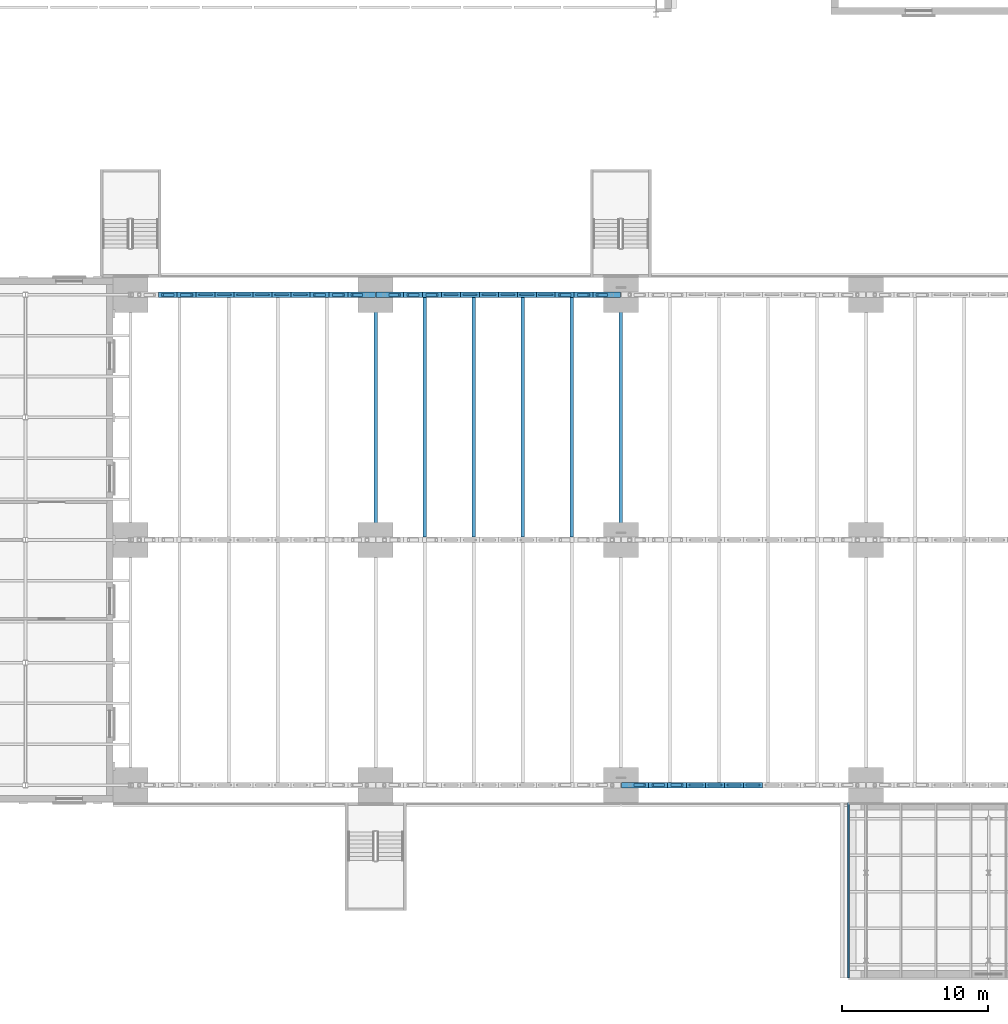
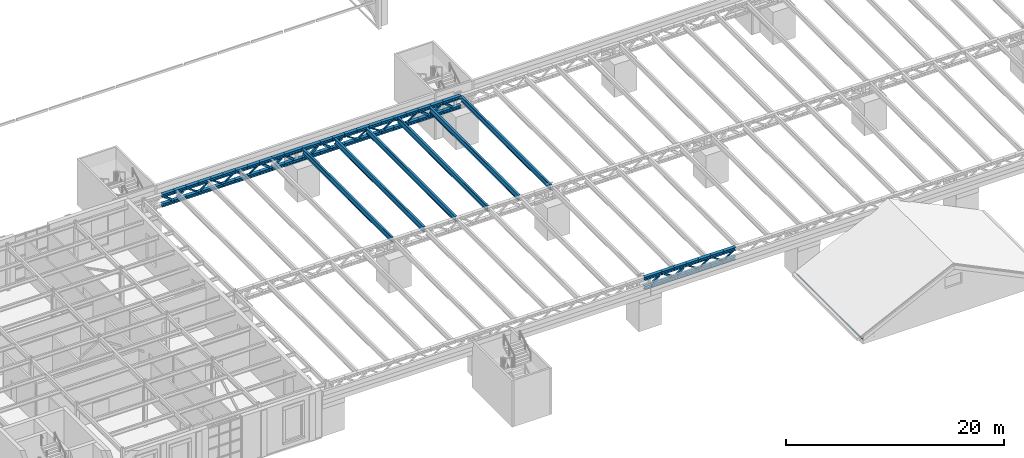
# One storey, part 21 of 93: 91 members, 6 beams.
"""IFC4 building model written with IfcOpenShell, lengths in metres."""

import ifcopenshell
import ifcopenshell.guid

model = None  # the IFC model being written
_history = None  # IfcOwnerHistory: only IFC2X3 demands one
_inside = {}  # id of a spatial element -> (the spatial element, [elements in it])
_under = {}  # id of a project, library or spatial element -> (it, [spatial elements below it])
_declared = {}  # id of a project -> (the project, [libraries it declares])
_typed = {}  # id of a type object -> (the type object, [elements of that type])
_made_of = {}  # id of a material, layer set ... -> (it, [elements and type objects made of it])


def new_model(schema):
    """Start an empty IFC model of exactly this schema.

    Asked for "IFC4X3", IfcOpenShell would pick the latest addendum, in which some entities
    have other attributes; the version numbers below select the first issue.
    IFC2X3 requires an IfcOwnerHistory on every rooted entity: one is made here for all.
    """
    global model, _history
    if schema == "IFC4X3":
        model = ifcopenshell.file(schema_version=(4, 3, 0, 0))
    else:
        model = ifcopenshell.file(schema=schema)
    _inside.clear()
    _under.clear()
    _declared.clear()
    _typed.clear()
    _made_of.clear()
    _history = None
    if model.schema == "IFC2X3":
        org = make("IfcOrganization", Name="unknown")
        user = make(
            "IfcPersonAndOrganization",
            ThePerson=make("IfcPerson", FamilyName="unknown"),
            TheOrganization=org,
        )
        app = make(
            "IfcApplication",
            ApplicationDeveloper=org,
            Version="unknown",
            ApplicationFullName="unknown",
            ApplicationIdentifier="unknown",
        )
        _history = make(
            "IfcOwnerHistory",
            OwningUser=user,
            OwningApplication=app,
            ChangeAction="ADDED",
            CreationDate=0,
        )
    return model


def make(cls, **values):
    """One entity of the class cls with the attributes given. An attribute that is None is left unset."""
    return model.create_entity(
        cls, **{name: value for name, value in values.items() if value is not None}
    )


def rooted(cls, **values):
    """An entity with a GlobalId (a new one), such as an element, a storey or a relation."""
    return make(cls, GlobalId=ifcopenshell.guid.new(), OwnerHistory=_history, **values)


def si_unit(unit_type, name, prefix=None):
    """IfcSIUnit, for example si_unit("LENGTHUNIT", "METRE", prefix="MILLI")."""
    return make("IfcSIUnit", UnitType=unit_type, Prefix=prefix, Name=name)


def assignment(units):
    """IfcUnitAssignment: the units of a project."""
    return None if units is None else make("IfcUnitAssignment", Units=units)


def point(xyz):
    """IfcCartesianPoint."""
    return None if xyz is None else make("IfcCartesianPoint", Coordinates=xyz)


def direction(xyz):
    """IfcDirection."""
    return None if xyz is None else make("IfcDirection", DirectionRatios=xyz)


def frame(location, z_axis=None, x_axis=None):
    """IfcAxis2Placement3D, a coordinate frame: its origin and axes. An axis left out is left unset."""
    return make(
        "IfcAxis2Placement3D",
        Location=point(location),
        Axis=direction(z_axis),
        RefDirection=direction(x_axis),
    )


def frame_2d(location, x_axis=None):
    """IfcAxis2Placement2D, a coordinate frame in the plane: its origin and x axis."""
    return make(
        "IfcAxis2Placement2D", Location=point(location), RefDirection=direction(x_axis)
    )


def origin():
    """The frame at (0, 0, 0) with its axes left unset."""
    return frame((0.0, 0.0, 0.0))


def origin_2d():
    """The frame at (0, 0) in the plane with its x axis left unset."""
    return frame_2d((0.0, 0.0))


def place(relative_to, where):
    """IfcLocalPlacement: puts the frame where relative to a parent placement (None: the world)."""
    return make(
        "IfcLocalPlacement", PlacementRelTo=relative_to, RelativePlacement=where
    )


def context(
    kind, dimensions, precision=None, world=None, true_north=None, identifier=None
):
    """IfcGeometricRepresentationContext, for example the 3D "Model" context."""
    return make(
        "IfcGeometricRepresentationContext",
        ContextIdentifier=identifier,
        ContextType=kind,
        CoordinateSpaceDimension=dimensions,
        Precision=precision,
        WorldCoordinateSystem=world,
        TrueNorth=true_north,
    )


def subcontext(parent, identifier, kind, view, scale=None):
    """IfcGeometricRepresentationSubContext, for example "Body" below "Model"."""
    return make(
        "IfcGeometricRepresentationSubContext",
        ContextIdentifier=identifier,
        ContextType=kind,
        ParentContext=parent,
        TargetScale=scale,
        TargetView=view,
    )


def project(units=None, contexts=None):
    """IfcProject with its units and contexts."""
    return rooted(
        "IfcProject",
        Name="project",
        RepresentationContexts=contexts,
        UnitsInContext=assignment(units),
    )


def spatial(cls, under=None, at=None, **own):
    """A site, building, storey or space (cls), placed at a placement, below another one or the project."""
    s = rooted(cls, ObjectPlacement=at, **own)
    if under is not None:
        _under.setdefault(under.id(), (under, []))[1].append(s)
    return s


def profile(cls, at=None, kind="AREA", **sizes):
    """A parametric profile (cls). Its sizes go by their IFC names, for example OverallWidth=200.0."""
    return make(cls, ProfileType=kind, Position=at, **sizes)


def hollow_rectangle(**sizes):
    """IfcRectangleHollowProfileDef."""
    return profile("IfcRectangleHollowProfileDef", **sizes)


def i_section(**sizes):
    """IfcIShapeProfileDef."""
    return profile("IfcIShapeProfileDef", **sizes)


def extrude(swept, where, along, depth):
    """IfcExtrudedAreaSolid: the profile swept, set in the frame where, extruded along a direction by depth."""
    return make(
        "IfcExtrudedAreaSolid",
        SweptArea=swept,
        Position=where,
        ExtrudedDirection=direction(along),
        Depth=depth,
    )


def shape(context_of_items, identifier, shape_type, items):
    """IfcShapeRepresentation: the items that make up one representation, for example the "Body"."""
    return make(
        "IfcShapeRepresentation",
        ContextOfItems=context_of_items,
        RepresentationIdentifier=identifier,
        RepresentationType=shape_type,
        Items=items,
    )


def material(Name=None, Category=None):
    """IfcMaterial."""
    return make("IfcMaterial", Name=Name, Category=Category)


def material_profile(
    of_material, cross_section, Name=None, Category=None, Priority=None
):
    """IfcMaterialProfile: a cross section and its material."""
    return make(
        "IfcMaterialProfile",
        Name=Name,
        Material=of_material,
        Profile=cross_section,
        Priority=Priority,
        Category=Category,
    )


def profile_set(profiles, Name=None, composite=None):
    """IfcMaterialProfileSet."""
    return make(
        "IfcMaterialProfileSet",
        Name=Name,
        MaterialProfiles=profiles,
        CompositeProfile=composite,
    )


def made_of(thing, what):
    """Note that an element or type object is made of a material, layer set ...; save() writes the relation."""
    if what is not None:
        _made_of.setdefault(what.id(), (what, []))[1].append(thing)
    return thing


def type_object(cls, material=None, **own):
    """A type object (cls), such as IfcWallType, which elements share."""
    return made_of(rooted(cls, **own), material)


def element(
    cls,
    number,
    at=None,
    inside=None,
    cuts=None,
    type_object=None,
    material=None,
    context=None,
    identifier="Body",
    shape_type=None,
    held_by="IfcProductDefinitionShape",
    body=None,
    shapes=None,
    **own,
):
    """One element of the class cls, such as IfcWall. Its Tag is "e" and its number.

    at: its placement. inside: the storey or other place that contains it. cuts: it is an
    opening in that element (IfcRelVoidsElement). A single representation is given by context,
    identifier, shape_type and body (its items); several are given by shapes. held_by: the class
    of the entity that holds the representations. save() writes the other relations.
    """
    e = rooted(cls, Tag="e%d" % number, ObjectPlacement=at, **own)
    if body is not None:
        shapes = [shape(context, identifier, shape_type, body)]
    if shapes is not None:
        e.Representation = make(held_by, Representations=shapes)
    if inside is not None:
        _inside.setdefault(inside.id(), (inside, []))[1].append(e)
    if cuts is not None:
        rooted(
            "IfcRelVoidsElement", RelatingBuildingElement=cuts, RelatedOpeningElement=e
        )
    if type_object is not None:
        _typed.setdefault(type_object.id(), (type_object, []))[1].append(e)
    return made_of(e, material)


def aggregate(whole, parts):
    """IfcRelAggregates: a whole, such as a stair, and the parts it consists of."""
    return rooted("IfcRelAggregates", RelatingObject=whole, RelatedObjects=parts)


def save(model, path):
    """Write the relations noted so far, then the file.

    IfcRelAggregates (storeys below a building ...), IfcRelContainedInSpatialStructure (elements
    in a storey), IfcRelDefinesByType, IfcRelAssociatesMaterial and IfcRelDeclares: one each for
    every whole, place, type object, material and project.
    """
    for whole, parts in _under.values():
        aggregate(whole, parts)
    for where, things in _inside.values():
        rooted(
            "IfcRelContainedInSpatialStructure",
            RelatedElements=things,
            RelatingStructure=where,
        )
    for kind, things in _typed.values():
        rooted("IfcRelDefinesByType", RelatedObjects=things, RelatingType=kind)
    for what, things in _made_of.values():
        rooted("IfcRelAssociatesMaterial", RelatedObjects=things, RelatingMaterial=what)
    for by, libraries in _declared.values():
        rooted("IfcRelDeclares", RelatingContext=by, RelatedDefinitions=libraries)
    model.write(path)


model = new_model("IFC4")

# Units and contexts
model_context = context("Model", 3, precision=1e-05, world=origin(), true_north=direction((0.0, 1.0)))
body_context = subcontext(model_context, "Body", "Model", "MODEL_VIEW")
ifc_project = project(units=[si_unit("LENGTHUNIT", "METRE"), si_unit("AREAUNIT", "SQUARE_METRE"), si_unit("VOLUMEUNIT", "CUBIC_METRE"), si_unit("PLANEANGLEUNIT", "RADIAN"), si_unit("MASSUNIT", "GRAM", prefix="KILO")], contexts=[model_context])

# Site, building, storey
site_placement = place(None, origin())
site = spatial("IfcSite", under=ifc_project, at=site_placement, CompositionType="ELEMENT")
building_placement = place(site_placement, origin())
building = spatial("IfcBuilding", under=site, at=building_placement, Name="Verrick Yard Athletic Hall", CompositionType="ELEMENT")
storey_placement = place(building_placement, frame((0.0, 0.0, 8.800048828125)))
storey = spatial("IfcBuildingStorey", under=building, at=storey_placement, Name="L02", CompositionType="ELEMENT", Elevation=8.800048828125)

# Members
ifc_material_1 = material(Name="Structural steel 350W (CSA G40.21)", Category="steel")
ifc_material_profile_1 = material_profile(ifc_material_1, i_section(OverallWidth=0.368896484375, OverallDepth=0.35595703125, WebThickness=0.01123046875, FlangeThickness=0.01806640625, at=origin_2d()), Name="W360x134")
ifc_profile_set_1 = profile_set([ifc_material_profile_1], Name="Structural steel 350W (CSA G40.21)")
member_type_1 = type_object("IfcMemberType", Name="STR Edge truss bottom chord W360x134", PredefinedType="CHORD", material=ifc_profile_set_1)
member_1_placement = place(storey_placement, frame((73.625, 19.199951171875, 3.827880859375), z_axis=(1.0, 0.0, 0.0), x_axis=(0.0, 1.0, 0.0)))
element("IfcMember", 1, at=member_1_placement, inside=storey, type_object=member_type_1, Name="STR-BC-GA3-1", PredefinedType="CHORD", context=body_context, shape_type="SweptSolid", body=[
    extrude(i_section(OverallWidth=0.368896484375, OverallDepth=0.35595703125, WebThickness=0.01123046875, FlangeThickness=0.01806640625, at=origin_2d()), origin(), (0.0, 0.0, 1.0), 1.875),
])
for number, where, z_axis, x_axis, name in (
    (2, (75.5, 19.199951171875, 3.827880859375), (1.0, 0.0, 0.0), (0.0, 1.0, 0.0), "STR-BC-GA3-2"),
    (3, (76.800048828125, 19.199951171875, 3.827880859375), (1.0, 0.0, 0.0), (0.0, 1.0, 0.0), "STR-BC-GA3-3"),
):
    element("IfcMember", number, at=place(storey_placement, frame(where, z_axis=z_axis, x_axis=x_axis)), inside=storey, type_object=member_type_1, Name=name, PredefinedType="CHORD", context=body_context, shape_type="SweptSolid", body=[
        extrude(i_section(OverallWidth=0.368896484375, OverallDepth=0.35595703125, WebThickness=0.01123046875, FlangeThickness=0.01806640625, at=origin_2d()), origin(), (0.0, 0.0, 1.0), 1.300048828125),
    ])
member_2_placement = place(storey_placement, frame((78.10009765625, 19.199951171875, 3.827880859375), z_axis=(1.0, 0.0, 0.0), x_axis=(0.0, 1.0, 0.0)))
element("IfcMember", 4, at=member_2_placement, inside=storey, type_object=member_type_1, Name="STR-BC-GA3-4", PredefinedType="CHORD", context=body_context, shape_type="SweptSolid", body=[
    extrude(i_section(OverallWidth=0.368896484375, OverallDepth=0.35595703125, WebThickness=0.01123046875, FlangeThickness=0.01806640625, at=origin_2d()), origin(), (0.0, 0.0, 1.0), 1.2998046875),
])
for number, where, z_axis, x_axis, name in (
    (5, (79.39990234375, 19.199951171875, 3.827880859375), (1.0, 0.0, 0.0), (0.0, 1.0, 0.0), "STR-BC-GA3-5"),
    (6, (80.699951171875, 19.199951171875, 3.827880859375), (1.0, 0.0, 0.0), (0.0, 1.0, 0.0), "STR-BC-GA3-6"),
    (7, (82.0, 19.199951171875, 3.827880859375), (1.0, 0.0, 0.0), (0.0, 1.0, 0.0), "STR-BC-GA3-7"),
    (8, (41.89990234375, 52.800048828125, 3.827880859375), (1.0, 0.0, 0.0), (0.0, 1.0, 0.0), "STR-BC-GC1-2"),
    (9, (43.199951171875, 52.800048828125, 3.827880859375), (1.0, 0.0, 0.0), (0.0, 1.0, 0.0), "STR-BC-GC1-3"),
    (10, (44.5, 52.800048828125, 3.827880859375), (1.0, 0.0, 0.0), (0.0, 1.0, 0.0), "STR-BC-GC1-4"),
    (11, (45.800048828125, 52.800048828125, 3.827880859375), (1.0, 0.0, 0.0), (0.0, 1.0, 0.0), "STR-BC-GC1-5"),
):
    element("IfcMember", number, at=place(storey_placement, frame(where, z_axis=z_axis, x_axis=x_axis)), inside=storey, type_object=member_type_1, Name=name, PredefinedType="CHORD", context=body_context, shape_type="SweptSolid", body=[
        extrude(i_section(OverallWidth=0.368896484375, OverallDepth=0.35595703125, WebThickness=0.01123046875, FlangeThickness=0.01806640625, at=origin_2d()), origin(), (0.0, 0.0, 1.0), 1.300048828125),
    ])
member_3_placement = place(storey_placement, frame((47.10009765625, 52.800048828125, 3.827880859375), z_axis=(1.0, 0.0, 0.0), x_axis=(0.0, 1.0, 0.0)))
element("IfcMember", 12, at=member_3_placement, inside=storey, type_object=member_type_1, Name="STR-BC-GC1-6", PredefinedType="CHORD", context=body_context, shape_type="SweptSolid", body=[
    extrude(i_section(OverallWidth=0.368896484375, OverallDepth=0.35595703125, WebThickness=0.01123046875, FlangeThickness=0.01806640625, at=origin_2d()), origin(), (0.0, 0.0, 1.0), 1.2998046875),
])
for number, where, z_axis, x_axis, name in (
    (13, (48.39990234375, 52.800048828125, 3.827880859375), (1.0, 0.0, 0.0), (0.0, 1.0, 0.0), "STR-BC-GC1-7"),
    (14, (49.699951171875, 52.800048828125, 3.827880859375), (1.0, 0.0, 0.0), (0.0, 1.0, 0.0), "STR-BC-GC1-8"),
    (15, (51.0, 52.800048828125, 3.827880859375), (1.0, 0.0, 0.0), (0.0, 1.0, 0.0), "STR-BC-GC1-9"),
    (16, (52.300048828125, 52.800048828125, 3.827880859375), (1.0, 0.0, 0.0), (0.0, 1.0, 0.0), "STR-BC-GC1-10"),
):
    element("IfcMember", number, at=place(storey_placement, frame(where, z_axis=z_axis, x_axis=x_axis)), inside=storey, type_object=member_type_1, Name=name, PredefinedType="CHORD", context=body_context, shape_type="SweptSolid", body=[
        extrude(i_section(OverallWidth=0.368896484375, OverallDepth=0.35595703125, WebThickness=0.01123046875, FlangeThickness=0.01806640625, at=origin_2d()), origin(), (0.0, 0.0, 1.0), 1.300048828125),
    ])
member_4_placement = place(storey_placement, frame((53.60009765625, 52.800048828125, 3.827880859375), z_axis=(1.0, 0.0, 0.0), x_axis=(0.0, 1.0, 0.0)))
element("IfcMember", 17, at=member_4_placement, inside=storey, type_object=member_type_1, Name="STR-BC-GC1-11", PredefinedType="CHORD", context=body_context, shape_type="SweptSolid", body=[
    extrude(i_section(OverallWidth=0.368896484375, OverallDepth=0.35595703125, WebThickness=0.01123046875, FlangeThickness=0.01806640625, at=origin_2d()), origin(), (0.0, 0.0, 1.0), 1.2998046875),
])
for number, where, z_axis, x_axis, name in (
    (18, (54.89990234375, 52.800048828125, 3.827880859375), (1.0, 0.0, 0.0), (0.0, 1.0, 0.0), "STR-BC-GC1-12"),
    (19, (56.824951171875, 52.800048828125, 3.827880859375), (1.0, 0.0, 0.0), (0.0, 1.0, 0.0), "STR-BC-GC2-1"),
):
    element("IfcMember", number, at=place(storey_placement, frame(where, z_axis=z_axis, x_axis=x_axis)), inside=storey, type_object=member_type_1, Name=name, PredefinedType="CHORD", context=body_context, shape_type="SweptSolid", body=[
        extrude(i_section(OverallWidth=0.368896484375, OverallDepth=0.35595703125, WebThickness=0.01123046875, FlangeThickness=0.01806640625, at=origin_2d()), origin(), (0.0, 0.0, 1.0), 1.875),
    ])
for number, where, z_axis, x_axis, name in (
    (20, (58.699951171875, 52.800048828125, 3.827880859375), (1.0, 0.0, 0.0), (0.0, 1.0, 0.0), "STR-BC-GC2-2"),
    (21, (60.0, 52.800048828125, 3.827880859375), (1.0, 0.0, 0.0), (0.0, 1.0, 0.0), "STR-BC-GC2-3"),
    (22, (61.300048828125, 52.800048828125, 3.827880859375), (1.0, 0.0, 0.0), (0.0, 1.0, 0.0), "STR-BC-GC2-4"),
):
    element("IfcMember", number, at=place(storey_placement, frame(where, z_axis=z_axis, x_axis=x_axis)), inside=storey, type_object=member_type_1, Name=name, PredefinedType="CHORD", context=body_context, shape_type="SweptSolid", body=[
        extrude(i_section(OverallWidth=0.368896484375, OverallDepth=0.35595703125, WebThickness=0.01123046875, FlangeThickness=0.01806640625, at=origin_2d()), origin(), (0.0, 0.0, 1.0), 1.300048828125),
    ])
member_5_placement = place(storey_placement, frame((62.60009765625, 52.800048828125, 3.827880859375), z_axis=(1.0, 0.0, 0.0), x_axis=(0.0, 1.0, 0.0)))
element("IfcMember", 23, at=member_5_placement, inside=storey, type_object=member_type_1, Name="STR-BC-GC2-5", PredefinedType="CHORD", context=body_context, shape_type="SweptSolid", body=[
    extrude(i_section(OverallWidth=0.368896484375, OverallDepth=0.35595703125, WebThickness=0.01123046875, FlangeThickness=0.01806640625, at=origin_2d()), origin(), (0.0, 0.0, 1.0), 1.2998046875),
])
for number, where, z_axis, x_axis, name in (
    (24, (63.89990234375, 52.800048828125, 3.827880859375), (1.0, 0.0, 0.0), (0.0, 1.0, 0.0), "STR-BC-GC2-6"),
    (25, (65.199951171875, 52.800048828125, 3.827880859375), (1.0, 0.0, 0.0), (0.0, 1.0, 0.0), "STR-BC-GC2-7"),
    (26, (66.5, 52.800048828125, 3.827880859375), (1.0, 0.0, 0.0), (0.0, 1.0, 0.0), "STR-BC-GC2-8"),
    (27, (67.800048828125, 52.800048828125, 3.827880859375), (1.0, 0.0, 0.0), (0.0, 1.0, 0.0), "STR-BC-GC2-9"),
):
    element("IfcMember", number, at=place(storey_placement, frame(where, z_axis=z_axis, x_axis=x_axis)), inside=storey, type_object=member_type_1, Name=name, PredefinedType="CHORD", context=body_context, shape_type="SweptSolid", body=[
        extrude(i_section(OverallWidth=0.368896484375, OverallDepth=0.35595703125, WebThickness=0.01123046875, FlangeThickness=0.01806640625, at=origin_2d()), origin(), (0.0, 0.0, 1.0), 1.300048828125),
    ])
member_6_placement = place(storey_placement, frame((69.10009765625, 52.800048828125, 3.827880859375), z_axis=(1.0, 0.0, 0.0), x_axis=(0.0, 1.0, 0.0)))
element("IfcMember", 28, at=member_6_placement, inside=storey, type_object=member_type_1, Name="STR-BC-GC2-10", PredefinedType="CHORD", context=body_context, shape_type="SweptSolid", body=[
    extrude(i_section(OverallWidth=0.368896484375, OverallDepth=0.35595703125, WebThickness=0.01123046875, FlangeThickness=0.01806640625, at=origin_2d()), origin(), (0.0, 0.0, 1.0), 1.2998046875),
])
member_7_placement = place(storey_placement, frame((70.39990234375, 52.800048828125, 3.827880859375), z_axis=(1.0, 0.0, 0.0), x_axis=(0.0, 1.0, 0.0)))
element("IfcMember", 29, at=member_7_placement, inside=storey, type_object=member_type_1, Name="STR-BC-GC2-11", PredefinedType="CHORD", context=body_context, shape_type="SweptSolid", body=[
    extrude(i_section(OverallWidth=0.368896484375, OverallDepth=0.35595703125, WebThickness=0.01123046875, FlangeThickness=0.01806640625, at=origin_2d()), origin(), (0.0, 0.0, 1.0), 1.300048828125),
])
member_8_placement = place(storey_placement, frame((71.699951171875, 52.800048828125, 3.827880859375), z_axis=(1.0, 0.0, 0.0), x_axis=(0.0, 1.0, 0.0)))
element("IfcMember", 30, at=member_8_placement, inside=storey, type_object=member_type_1, Name="STR-BC-GC2-12", PredefinedType="CHORD", context=body_context, shape_type="SweptSolid", body=[
    extrude(i_section(OverallWidth=0.368896484375, OverallDepth=0.35595703125, WebThickness=0.01123046875, FlangeThickness=0.01806640625, at=origin_2d()), origin(), (0.0, 0.0, 1.0), 1.875),
])
ifc_material_profile_2 = material_profile(ifc_material_1, i_section(OverallWidth=0.368896484375, OverallDepth=0.35595703125, WebThickness=0.01123046875, FlangeThickness=0.01806640625, at=origin_2d()), Name="W360x134")
ifc_profile_set_2 = profile_set([ifc_material_profile_2], Name="Structural steel 350W (CSA G40.21)")
member_type_2 = type_object("IfcMemberType", Name="STR Edge truss top chord W360x134", PredefinedType="CHORD", material=ifc_profile_set_2)
member_9_placement = place(storey_placement, frame((73.625, 19.199951171875, 4.8720703125), z_axis=(1.0, 0.0, 0.0), x_axis=(0.0, 1.0, 0.0)))
element("IfcMember", 31, at=member_9_placement, inside=storey, type_object=member_type_2, Name="STR-TC-GA3-1", PredefinedType="CHORD", context=body_context, shape_type="SweptSolid", body=[
    extrude(i_section(OverallWidth=0.368896484375, OverallDepth=0.35595703125, WebThickness=0.01123046875, FlangeThickness=0.01806640625, at=origin_2d()), origin(), (0.0, 0.0, 1.0), 1.875),
])
for number, where, z_axis, x_axis, name in (
    (32, (75.5, 19.199951171875, 4.8720703125), (1.0, 0.0, 0.0), (0.0, 1.0, 0.0), "STR-TC-GA3-2"),
    (33, (76.800048828125, 19.199951171875, 4.8720703125), (1.0, 0.0, 0.0), (0.0, 1.0, 0.0), "STR-TC-GA3-3"),
):
    element("IfcMember", number, at=place(storey_placement, frame(where, z_axis=z_axis, x_axis=x_axis)), inside=storey, type_object=member_type_2, Name=name, PredefinedType="CHORD", context=body_context, shape_type="SweptSolid", body=[
        extrude(i_section(OverallWidth=0.368896484375, OverallDepth=0.35595703125, WebThickness=0.01123046875, FlangeThickness=0.01806640625, at=origin_2d()), origin(), (0.0, 0.0, 1.0), 1.300048828125),
    ])
member_10_placement = place(storey_placement, frame((78.10009765625, 19.199951171875, 4.8720703125), z_axis=(1.0, 0.0, 0.0), x_axis=(0.0, 1.0, 0.0)))
element("IfcMember", 34, at=member_10_placement, inside=storey, type_object=member_type_2, Name="STR-TC-GA3-4", PredefinedType="CHORD", context=body_context, shape_type="SweptSolid", body=[
    extrude(i_section(OverallWidth=0.368896484375, OverallDepth=0.35595703125, WebThickness=0.01123046875, FlangeThickness=0.01806640625, at=origin_2d()), origin(), (0.0, 0.0, 1.0), 1.2998046875),
])
for number, where, z_axis, x_axis, name in (
    (35, (79.39990234375, 19.199951171875, 4.8720703125), (1.0, 0.0, 0.0), (0.0, 1.0, 0.0), "STR-TC-GA3-5"),
    (36, (80.699951171875, 19.199951171875, 4.8720703125), (1.0, 0.0, 0.0), (0.0, 1.0, 0.0), "STR-TC-GA3-6"),
    (37, (82.0, 19.199951171875, 4.8720703125), (1.0, 0.0, 0.0), (0.0, 1.0, 0.0), "STR-TC-GA3-7"),
    (38, (41.89990234375, 52.800048828125, 4.8720703125), (1.0, 0.0, 0.0), (0.0, 1.0, 0.0), "STR-TC-GC1-2"),
    (39, (43.199951171875, 52.800048828125, 4.8720703125), (1.0, 0.0, 0.0), (0.0, 1.0, 0.0), "STR-TC-GC1-3"),
    (40, (44.5, 52.800048828125, 4.8720703125), (1.0, 0.0, 0.0), (0.0, 1.0, 0.0), "STR-TC-GC1-4"),
    (41, (45.800048828125, 52.800048828125, 4.8720703125), (1.0, 0.0, 0.0), (0.0, 1.0, 0.0), "STR-TC-GC1-5"),
):
    element("IfcMember", number, at=place(storey_placement, frame(where, z_axis=z_axis, x_axis=x_axis)), inside=storey, type_object=member_type_2, Name=name, PredefinedType="CHORD", context=body_context, shape_type="SweptSolid", body=[
        extrude(i_section(OverallWidth=0.368896484375, OverallDepth=0.35595703125, WebThickness=0.01123046875, FlangeThickness=0.01806640625, at=origin_2d()), origin(), (0.0, 0.0, 1.0), 1.300048828125),
    ])
member_11_placement = place(storey_placement, frame((47.10009765625, 52.800048828125, 4.8720703125), z_axis=(1.0, 0.0, 0.0), x_axis=(0.0, 1.0, 0.0)))
element("IfcMember", 42, at=member_11_placement, inside=storey, type_object=member_type_2, Name="STR-TC-GC1-6", PredefinedType="CHORD", context=body_context, shape_type="SweptSolid", body=[
    extrude(i_section(OverallWidth=0.368896484375, OverallDepth=0.35595703125, WebThickness=0.01123046875, FlangeThickness=0.01806640625, at=origin_2d()), origin(), (0.0, 0.0, 1.0), 1.2998046875),
])
for number, where, z_axis, x_axis, name in (
    (43, (48.39990234375, 52.800048828125, 4.8720703125), (1.0, 0.0, 0.0), (0.0, 1.0, 0.0), "STR-TC-GC1-7"),
    (44, (49.699951171875, 52.800048828125, 4.8720703125), (1.0, 0.0, 0.0), (0.0, 1.0, 0.0), "STR-TC-GC1-8"),
    (45, (51.0, 52.800048828125, 4.8720703125), (1.0, 0.0, 0.0), (0.0, 1.0, 0.0), "STR-TC-GC1-9"),
    (46, (52.300048828125, 52.800048828125, 4.8720703125), (1.0, 0.0, 0.0), (0.0, 1.0, 0.0), "STR-TC-GC1-10"),
):
    element("IfcMember", number, at=place(storey_placement, frame(where, z_axis=z_axis, x_axis=x_axis)), inside=storey, type_object=member_type_2, Name=name, PredefinedType="CHORD", context=body_context, shape_type="SweptSolid", body=[
        extrude(i_section(OverallWidth=0.368896484375, OverallDepth=0.35595703125, WebThickness=0.01123046875, FlangeThickness=0.01806640625, at=origin_2d()), origin(), (0.0, 0.0, 1.0), 1.300048828125),
    ])
member_12_placement = place(storey_placement, frame((53.60009765625, 52.800048828125, 4.8720703125), z_axis=(1.0, 0.0, 0.0), x_axis=(0.0, 1.0, 0.0)))
element("IfcMember", 47, at=member_12_placement, inside=storey, type_object=member_type_2, Name="STR-TC-GC1-11", PredefinedType="CHORD", context=body_context, shape_type="SweptSolid", body=[
    extrude(i_section(OverallWidth=0.368896484375, OverallDepth=0.35595703125, WebThickness=0.01123046875, FlangeThickness=0.01806640625, at=origin_2d()), origin(), (0.0, 0.0, 1.0), 1.2998046875),
])
for number, where, z_axis, x_axis, name in (
    (48, (54.89990234375, 52.800048828125, 4.8720703125), (1.0, 0.0, 0.0), (0.0, 1.0, 0.0), "STR-TC-GC1-12"),
    (49, (56.824951171875, 52.800048828125, 4.8720703125), (1.0, 0.0, 0.0), (0.0, 1.0, 0.0), "STR-TC-GC2-1"),
):
    element("IfcMember", number, at=place(storey_placement, frame(where, z_axis=z_axis, x_axis=x_axis)), inside=storey, type_object=member_type_2, Name=name, PredefinedType="CHORD", context=body_context, shape_type="SweptSolid", body=[
        extrude(i_section(OverallWidth=0.368896484375, OverallDepth=0.35595703125, WebThickness=0.01123046875, FlangeThickness=0.01806640625, at=origin_2d()), origin(), (0.0, 0.0, 1.0), 1.875),
    ])
for number, where, z_axis, x_axis, name in (
    (50, (58.699951171875, 52.800048828125, 4.8720703125), (1.0, 0.0, 0.0), (0.0, 1.0, 0.0), "STR-TC-GC2-2"),
    (51, (60.0, 52.800048828125, 4.8720703125), (1.0, 0.0, 0.0), (0.0, 1.0, 0.0), "STR-TC-GC2-3"),
    (52, (61.300048828125, 52.800048828125, 4.8720703125), (1.0, 0.0, 0.0), (0.0, 1.0, 0.0), "STR-TC-GC2-4"),
):
    element("IfcMember", number, at=place(storey_placement, frame(where, z_axis=z_axis, x_axis=x_axis)), inside=storey, type_object=member_type_2, Name=name, PredefinedType="CHORD", context=body_context, shape_type="SweptSolid", body=[
        extrude(i_section(OverallWidth=0.368896484375, OverallDepth=0.35595703125, WebThickness=0.01123046875, FlangeThickness=0.01806640625, at=origin_2d()), origin(), (0.0, 0.0, 1.0), 1.300048828125),
    ])
member_13_placement = place(storey_placement, frame((62.60009765625, 52.800048828125, 4.8720703125), z_axis=(1.0, 0.0, 0.0), x_axis=(0.0, 1.0, 0.0)))
element("IfcMember", 53, at=member_13_placement, inside=storey, type_object=member_type_2, Name="STR-TC-GC2-5", PredefinedType="CHORD", context=body_context, shape_type="SweptSolid", body=[
    extrude(i_section(OverallWidth=0.368896484375, OverallDepth=0.35595703125, WebThickness=0.01123046875, FlangeThickness=0.01806640625, at=origin_2d()), origin(), (0.0, 0.0, 1.0), 1.2998046875),
])
for number, where, z_axis, x_axis, name in (
    (54, (63.89990234375, 52.800048828125, 4.8720703125), (1.0, 0.0, 0.0), (0.0, 1.0, 0.0), "STR-TC-GC2-6"),
    (55, (65.199951171875, 52.800048828125, 4.8720703125), (1.0, 0.0, 0.0), (0.0, 1.0, 0.0), "STR-TC-GC2-7"),
    (56, (66.5, 52.800048828125, 4.8720703125), (1.0, 0.0, 0.0), (0.0, 1.0, 0.0), "STR-TC-GC2-8"),
    (57, (67.800048828125, 52.800048828125, 4.8720703125), (1.0, 0.0, 0.0), (0.0, 1.0, 0.0), "STR-TC-GC2-9"),
):
    element("IfcMember", number, at=place(storey_placement, frame(where, z_axis=z_axis, x_axis=x_axis)), inside=storey, type_object=member_type_2, Name=name, PredefinedType="CHORD", context=body_context, shape_type="SweptSolid", body=[
        extrude(i_section(OverallWidth=0.368896484375, OverallDepth=0.35595703125, WebThickness=0.01123046875, FlangeThickness=0.01806640625, at=origin_2d()), origin(), (0.0, 0.0, 1.0), 1.300048828125),
    ])
member_14_placement = place(storey_placement, frame((69.10009765625, 52.800048828125, 4.8720703125), z_axis=(1.0, 0.0, 0.0), x_axis=(0.0, 1.0, 0.0)))
element("IfcMember", 58, at=member_14_placement, inside=storey, type_object=member_type_2, Name="STR-TC-GC2-10", PredefinedType="CHORD", context=body_context, shape_type="SweptSolid", body=[
    extrude(i_section(OverallWidth=0.368896484375, OverallDepth=0.35595703125, WebThickness=0.01123046875, FlangeThickness=0.01806640625, at=origin_2d()), origin(), (0.0, 0.0, 1.0), 1.2998046875),
])
member_15_placement = place(storey_placement, frame((70.39990234375, 52.800048828125, 4.8720703125), z_axis=(1.0, 0.0, 0.0), x_axis=(0.0, 1.0, 0.0)))
element("IfcMember", 59, at=member_15_placement, inside=storey, type_object=member_type_2, Name="STR-TC-GC2-11", PredefinedType="CHORD", context=body_context, shape_type="SweptSolid", body=[
    extrude(i_section(OverallWidth=0.368896484375, OverallDepth=0.35595703125, WebThickness=0.01123046875, FlangeThickness=0.01806640625, at=origin_2d()), origin(), (0.0, 0.0, 1.0), 1.300048828125),
])
member_16_placement = place(storey_placement, frame((71.699951171875, 52.800048828125, 4.8720703125), z_axis=(1.0, 0.0, 0.0), x_axis=(0.0, 1.0, 0.0)))
element("IfcMember", 60, at=member_16_placement, inside=storey, type_object=member_type_2, Name="STR-TC-GC2-12", PredefinedType="CHORD", context=body_context, shape_type="SweptSolid", body=[
    extrude(i_section(OverallWidth=0.368896484375, OverallDepth=0.35595703125, WebThickness=0.01123046875, FlangeThickness=0.01806640625, at=origin_2d()), origin(), (0.0, 0.0, 1.0), 1.875),
])
ifc_material_2 = material(Name="Structural steel HSS Class C 350W (CSA G40.20/G40.21)", Category="steel")
ifc_material_profile_3 = material_profile(ifc_material_2, hollow_rectangle(XDim=0.126953125, YDim=0.126953125, WallThickness=0.009521484375, at=origin_2d()), Name="HSS127x127x9.5")
ifc_profile_set_3 = profile_set([ifc_material_profile_3], Name="Structural steel HSS Class C 350W (CSA G40.20/G40.21)")
member_type_3 = type_object("IfcMemberType", Name="STR Edge truss web HSS127x127x9.5", PredefinedType="BRACE", material=ifc_profile_set_3)
member_17_placement = place(storey_placement, frame((78.30224609375, 19.199951171875, 4.641357421875), z_axis=(0.838151139583, 0.0, -0.545438050759), x_axis=(0.0, 1.0, 0.0)))
element("IfcMember", 61, at=member_17_placement, inside=storey, type_object=member_type_3, Name="STR-TW-GA3-4", PredefinedType="BRACE", context=body_context, shape_type="SweptSolid", body=[
    extrude(hollow_rectangle(XDim=0.126953125, YDim=0.126953125, WallThickness=0.009521484375, at=origin_2d()), origin(), (0.0, 0.0, 1.0), 1.068359375),
])
for number, where, z_axis, x_axis, name in (
    (62, (79.602294921875, 19.199951171875, 4.05859375), (0.838083139624, 0.0, 0.54554252912), (0.0, 1.0, 0.0), "STR-TW-GA3-5"),
    (63, (80.90234375, 19.199951171875, 4.641357421875), (0.838083139624, 0.0, -0.54554252912), (0.0, 1.0, 0.0), "STR-TW-GA3-6"),
    (64, (82.202392578125, 19.199951171875, 4.05859375), (0.838083139624, 0.0, 0.54554252912), (0.0, 1.0, 0.0), "STR-TW-GA3-7"),
    (65, (44.702392578125, 52.800048828125, 4.641357421875), (0.838083139624, 0.0, -0.54554252912), (0.0, 1.0, 0.0), "STR-TW-GC1-4"),
    (66, (46.00244140625, 52.800048828125, 4.05859375), (0.838083139624, 0.0, 0.54554252912), (0.0, 1.0, 0.0), "STR-TW-GC1-5"),
):
    element("IfcMember", number, at=place(storey_placement, frame(where, z_axis=z_axis, x_axis=x_axis)), inside=storey, type_object=member_type_3, Name=name, PredefinedType="BRACE", context=body_context, shape_type="SweptSolid", body=[
        extrude(hollow_rectangle(XDim=0.126953125, YDim=0.126953125, WallThickness=0.009521484375, at=origin_2d()), origin(), (0.0, 0.0, 1.0), 1.068115234375),
    ])
member_18_placement = place(storey_placement, frame((47.30224609375, 52.800048828125, 4.641357421875), z_axis=(0.838151139583, 0.0, -0.545438050759), x_axis=(0.0, 1.0, 0.0)))
element("IfcMember", 67, at=member_18_placement, inside=storey, type_object=member_type_3, Name="STR-TW-GC1-6", PredefinedType="BRACE", context=body_context, shape_type="SweptSolid", body=[
    extrude(hollow_rectangle(XDim=0.126953125, YDim=0.126953125, WallThickness=0.009521484375, at=origin_2d()), origin(), (0.0, 0.0, 1.0), 1.068359375),
])
for number, where, z_axis, x_axis, name in (
    (68, (48.602294921875, 52.800048828125, 4.05859375), (0.838083139624, 0.0, 0.54554252912), (0.0, 1.0, 0.0), "STR-TW-GC1-7"),
    (69, (49.90234375, 52.800048828125, 4.641357421875), (0.838083139624, 0.0, -0.54554252912), (0.0, 1.0, 0.0), "STR-TW-GC1-8"),
    (70, (51.202392578125, 52.800048828125, 4.05859375), (0.838083139624, 0.0, 0.54554252912), (0.0, 1.0, 0.0), "STR-TW-GC1-9"),
    (71, (61.50244140625, 52.800048828125, 4.641357421875), (0.838083139624, 0.0, -0.54554252912), (0.0, 1.0, 0.0), "STR-TW-GC2-4"),
):
    element("IfcMember", number, at=place(storey_placement, frame(where, z_axis=z_axis, x_axis=x_axis)), inside=storey, type_object=member_type_3, Name=name, PredefinedType="BRACE", context=body_context, shape_type="SweptSolid", body=[
        extrude(hollow_rectangle(XDim=0.126953125, YDim=0.126953125, WallThickness=0.009521484375, at=origin_2d()), origin(), (0.0, 0.0, 1.0), 1.068115234375),
    ])
member_19_placement = place(storey_placement, frame((62.80224609375, 52.800048828125, 4.05859375), z_axis=(0.838151139583, 0.0, 0.545438050759), x_axis=(0.0, 1.0, 0.0)))
element("IfcMember", 72, at=member_19_placement, inside=storey, type_object=member_type_3, Name="STR-TW-GC2-5", PredefinedType="BRACE", context=body_context, shape_type="SweptSolid", body=[
    extrude(hollow_rectangle(XDim=0.126953125, YDim=0.126953125, WallThickness=0.009521484375, at=origin_2d()), origin(), (0.0, 0.0, 1.0), 1.068359375),
])
for number, where, z_axis, x_axis, name in (
    (73, (64.102294921875, 52.800048828125, 4.641357421875), (0.838083139624, 0.0, -0.54554252912), (0.0, 1.0, 0.0), "STR-TW-GC2-6"),
    (74, (65.40234375, 52.800048828125, 4.05859375), (0.838083139624, 0.0, 0.54554252912), (0.0, 1.0, 0.0), "STR-TW-GC2-7"),
    (75, (66.702392578125, 52.800048828125, 4.641357421875), (0.838083139624, 0.0, -0.54554252912), (0.0, 1.0, 0.0), "STR-TW-GC2-8"),
    (76, (68.00244140625, 52.800048828125, 4.05859375), (0.838083139624, 0.0, 0.54554252912), (0.0, 1.0, 0.0), "STR-TW-GC2-9"),
):
    element("IfcMember", number, at=place(storey_placement, frame(where, z_axis=z_axis, x_axis=x_axis)), inside=storey, type_object=member_type_3, Name=name, PredefinedType="BRACE", context=body_context, shape_type="SweptSolid", body=[
        extrude(hollow_rectangle(XDim=0.126953125, YDim=0.126953125, WallThickness=0.009521484375, at=origin_2d()), origin(), (0.0, 0.0, 1.0), 1.068115234375),
    ])
ifc_material_profile_4 = material_profile(ifc_material_2, hollow_rectangle(XDim=0.203125, YDim=0.203125, WallThickness=0.0126953125, at=origin_2d()), Name="HSS203x203x13")
ifc_profile_set_4 = profile_set([ifc_material_profile_4], Name="Structural steel HSS Class C 350W (CSA G40.20/G40.21)")
member_type_4 = type_object("IfcMemberType", Name="STR Edge truss web HSS203x203x13", PredefinedType="BRACE", material=ifc_profile_set_4)
member_20_placement = place(storey_placement, frame((74.572265625, 19.199951171875, 4.084716796875), z_axis=(0.780391329508, 0.0, 0.625291430318), x_axis=(0.0, 1.0, 0.0)))
element("IfcMember", 77, at=member_20_placement, inside=storey, type_object=member_type_4, Name="STR-TW-GA3-1", PredefinedType="BRACE", context=body_context, shape_type="SweptSolid", body=[
    extrude(hollow_rectangle(XDim=0.203125, YDim=0.203125, WallThickness=0.0126953125, at=origin_2d()), origin(), (0.0, 0.0, 1.0), 0.848388671875),
])
member_21_placement = place(storey_placement, frame((75.78955078125, 19.199951171875, 4.6123046875), z_axis=(0.808428172865, 0.0, -0.588594843095), x_axis=(0.0, 1.0, 0.0)))
element("IfcMember", 78, at=member_21_placement, inside=storey, type_object=member_type_4, Name="STR-TW-GA3-2", PredefinedType="BRACE", context=body_context, shape_type="SweptSolid", body=[
    extrude(hollow_rectangle(XDim=0.203125, YDim=0.203125, WallThickness=0.0126953125, at=origin_2d()), origin(), (0.0, 0.0, 1.0), 0.891845703125),
])
for number, where, z_axis, x_axis, name in (
    (79, (77.089599609375, 19.199951171875, 4.08740234375), (0.808333297144, 0.0, 0.588725131728), (0.0, 1.0, 0.0), "STR-TW-GA3-3"),
    (80, (42.189697265625, 52.800048828125, 4.6123046875), (0.808333297144, 0.0, -0.588725131728), (0.0, 1.0, 0.0), "STR-TW-GC1-2"),
):
    element("IfcMember", number, at=place(storey_placement, frame(where, z_axis=z_axis, x_axis=x_axis)), inside=storey, type_object=member_type_4, Name=name, PredefinedType="BRACE", context=body_context, shape_type="SweptSolid", body=[
        extrude(hollow_rectangle(XDim=0.203125, YDim=0.203125, WallThickness=0.0126953125, at=origin_2d()), origin(), (0.0, 0.0, 1.0), 0.8916015625),
    ])
member_22_placement = place(storey_placement, frame((43.489501953125, 52.800048828125, 4.08740234375), z_axis=(0.808428172865, 0.0, 0.588594843095), x_axis=(0.0, 1.0, 0.0)))
element("IfcMember", 81, at=member_22_placement, inside=storey, type_object=member_type_4, Name="STR-TW-GC1-3", PredefinedType="BRACE", context=body_context, shape_type="SweptSolid", body=[
    extrude(hollow_rectangle(XDim=0.203125, YDim=0.203125, WallThickness=0.0126953125, at=origin_2d()), origin(), (0.0, 0.0, 1.0), 0.891845703125),
])
for number, where, z_axis, x_axis, name in (
    (82, (52.589599609375, 52.800048828125, 4.6123046875), (0.808333297144, 0.0, -0.588725131728), (0.0, 1.0, 0.0), "STR-TW-GC1-10"),
    (83, (53.8896484375, 52.800048828125, 4.08740234375), (0.808333297144, 0.0, 0.588725131728), (0.0, 1.0, 0.0), "STR-TW-GC1-11"),
):
    element("IfcMember", number, at=place(storey_placement, frame(where, z_axis=z_axis, x_axis=x_axis)), inside=storey, type_object=member_type_4, Name=name, PredefinedType="BRACE", context=body_context, shape_type="SweptSolid", body=[
        extrude(hollow_rectangle(XDim=0.203125, YDim=0.203125, WallThickness=0.0126953125, at=origin_2d()), origin(), (0.0, 0.0, 1.0), 0.8916015625),
    ])
member_23_placement = place(storey_placement, frame((55.16552734375, 52.800048828125, 4.615234375), z_axis=(0.780503800734, 0.0, -0.625151035383), x_axis=(0.0, 1.0, 0.0)))
element("IfcMember", 84, at=member_23_placement, inside=storey, type_object=member_type_4, Name="STR-TW-GC1-12", PredefinedType="BRACE", context=body_context, shape_type="SweptSolid", body=[
    extrude(hollow_rectangle(XDim=0.203125, YDim=0.203125, WallThickness=0.0126953125, at=origin_2d()), origin(), (0.0, 0.0, 1.0), 0.8486328125),
])
member_24_placement = place(storey_placement, frame((57.772216796875, 52.800048828125, 4.084716796875), z_axis=(0.780391329508, 0.0, 0.625291430318), x_axis=(0.0, 1.0, 0.0)))
element("IfcMember", 85, at=member_24_placement, inside=storey, type_object=member_type_4, Name="STR-TW-GC2-1", PredefinedType="BRACE", context=body_context, shape_type="SweptSolid", body=[
    extrude(hollow_rectangle(XDim=0.203125, YDim=0.203125, WallThickness=0.0126953125, at=origin_2d()), origin(), (0.0, 0.0, 1.0), 0.848388671875),
])
for number, where, z_axis, x_axis, name in (
    (86, (58.989501953125, 52.800048828125, 4.6123046875), (0.808428172865, 0.0, -0.588594843095), (0.0, 1.0, 0.0), "STR-TW-GC2-2"),
    (87, (60.28955078125, 52.800048828125, 4.08740234375), (0.808428172865, 0.0, 0.588594843095), (0.0, 1.0, 0.0), "STR-TW-GC2-3"),
):
    element("IfcMember", number, at=place(storey_placement, frame(where, z_axis=z_axis, x_axis=x_axis)), inside=storey, type_object=member_type_4, Name=name, PredefinedType="BRACE", context=body_context, shape_type="SweptSolid", body=[
        extrude(hollow_rectangle(XDim=0.203125, YDim=0.203125, WallThickness=0.0126953125, at=origin_2d()), origin(), (0.0, 0.0, 1.0), 0.891845703125),
    ])
for number, where, z_axis, x_axis, name in (
    (88, (69.3896484375, 52.800048828125, 4.6123046875), (0.808333297144, 0.0, -0.588725131728), (0.0, 1.0, 0.0), "STR-TW-GC2-10"),
    (89, (70.689697265625, 52.800048828125, 4.08740234375), (0.808333297144, 0.0, 0.588725131728), (0.0, 1.0, 0.0), "STR-TW-GC2-11"),
):
    element("IfcMember", number, at=place(storey_placement, frame(where, z_axis=z_axis, x_axis=x_axis)), inside=storey, type_object=member_type_4, Name=name, PredefinedType="BRACE", context=body_context, shape_type="SweptSolid", body=[
        extrude(hollow_rectangle(XDim=0.203125, YDim=0.203125, WallThickness=0.0126953125, at=origin_2d()), origin(), (0.0, 0.0, 1.0), 0.8916015625),
    ])
member_25_placement = place(storey_placement, frame((71.965576171875, 52.800048828125, 4.615234375), z_axis=(0.780391329508, 0.0, -0.625291430318), x_axis=(0.0, 1.0, 0.0)))
element("IfcMember", 90, at=member_25_placement, inside=storey, type_object=member_type_4, Name="STR-TW-GC2-12", PredefinedType="BRACE", context=body_context, shape_type="SweptSolid", body=[
    extrude(hollow_rectangle(XDim=0.203125, YDim=0.203125, WallThickness=0.0126953125, at=origin_2d()), origin(), (0.0, 0.0, 1.0), 0.848388671875),
])
ifc_material_profile_5 = material_profile(ifc_material_2, hollow_rectangle(XDim=0.1015625, YDim=0.1015625, WallThickness=0.00634765625, at=origin_2d()), Name="HSS102x102x6.4")
ifc_profile_set_5 = profile_set([ifc_material_profile_5], Name="Structural steel HSS Class C 350W (CSA G40.20/G40.21)")
member_type_5 = type_object("IfcMemberType", Name="STR Purlin HSS102x102x6.4", PredefinedType="PURLIN", material=ifc_profile_set_5)
member_26_placement = place(storey_placement, frame((89.199951171875, 6.0, 0.59326171875), z_axis=(0.0, 1.0, 0.0), x_axis=(-0.894427191001, 0.0, -0.447213595499)))
element("IfcMember", 91, at=member_26_placement, inside=storey, type_object=member_type_5, Name="STR-PU-FW5", PredefinedType="PURLIN", context=body_context, shape_type="SweptSolid", body=[
    extrude(hollow_rectangle(XDim=0.1015625, YDim=0.1015625, WallThickness=0.00634765625, at=origin_2d()), origin(), (0.0, 0.0, 1.0), 12.0),
])

# Beams
ifc_material_profile_6 = material_profile(ifc_material_1, i_section(OverallWidth=0.22802734375, OverallDepth=0.60791015625, WebThickness=0.01123046875, FlangeThickness=0.017333984375, at=origin_2d()), Name="W610x113")
ifc_profile_set_6 = profile_set([ifc_material_profile_6], Name="Structural steel 350W (CSA G40.21)")
beam_type = type_object("IfcBeamType", Name="STR Secondary beam W610x113", PredefinedType="BEAM", material=ifc_profile_set_6)
for number, where, z_axis, x_axis, name in (
    (92, (60.159912109375, 36.18701171875, 4.745849609375), (0.0, 1.0, 0.0), (-1.0, 0.0, 0.0), "STR-SB-S221"),
    (93, (63.52001953125, 36.18701171875, 4.745849609375), (0.0, 1.0, 0.0), (-1.0, 0.0, 0.0), "STR-SB-S222"),
    (94, (66.8798828125, 36.18701171875, 4.745849609375), (0.0, 1.0, 0.0), (-1.0, 0.0, 0.0), "STR-SB-S223"),
    (95, (70.239990234375, 36.18701171875, 4.745849609375), (0.0, 1.0, 0.0), (-1.0, 0.0, 0.0), "STR-SB-S224"),
    (96, (56.800048828125, 36.18701171875, 4.745849609375), (0.0, 1.0, 0.0), (-1.0, 0.0, 0.0), "STR-SB-X2B"),
    (97, (73.60009765625, 36.18701171875, 4.745849609375), (0.0, 1.0, 0.0), (-1.0, 0.0, 0.0), "STR-SB-X3B"),
):
    element("IfcBeam", number, at=place(storey_placement, frame(where, z_axis=z_axis, x_axis=x_axis)), inside=storey, type_object=beam_type, Name=name, PredefinedType="BEAM", context=body_context, shape_type="SweptSolid", body=[
        extrude(i_section(OverallWidth=0.22802734375, OverallDepth=0.60791015625, WebThickness=0.01123046875, FlangeThickness=0.017333984375, at=origin_2d()), origin(), (0.0, 0.0, 1.0), 16.428466796875),
    ])

save(model, "model.ifc")
